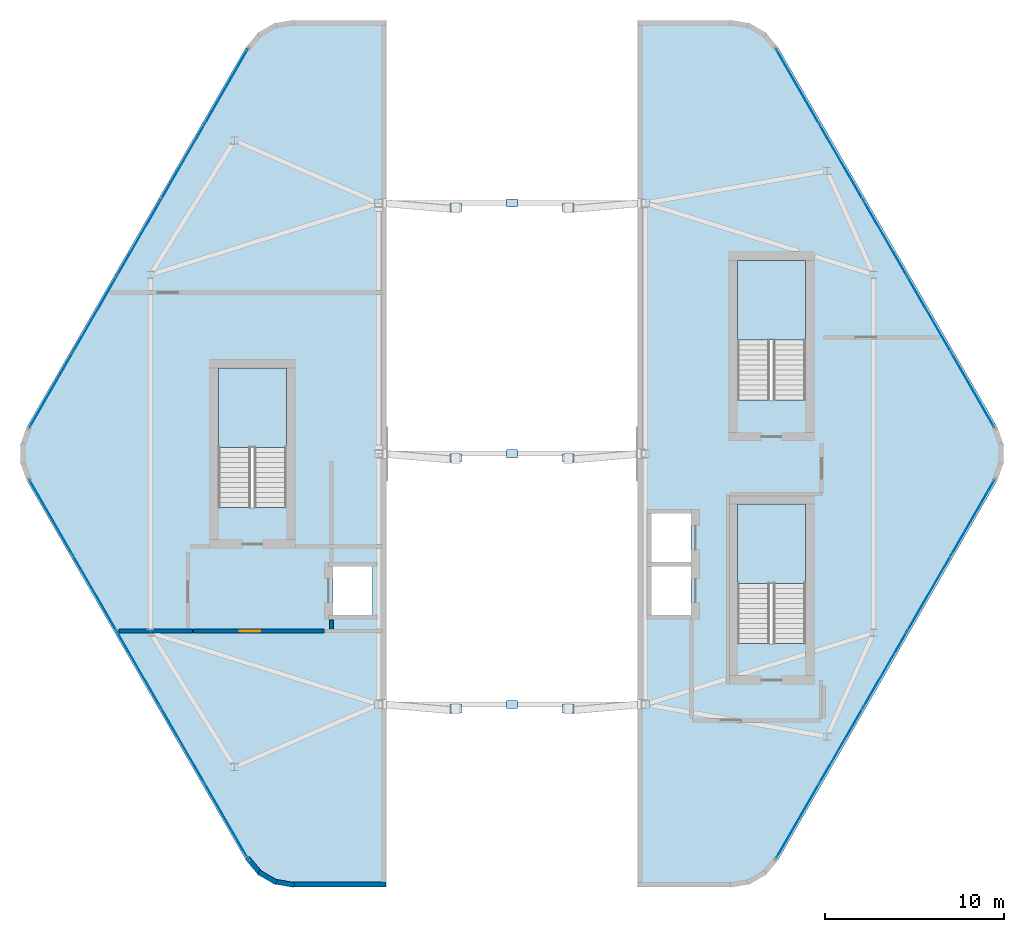
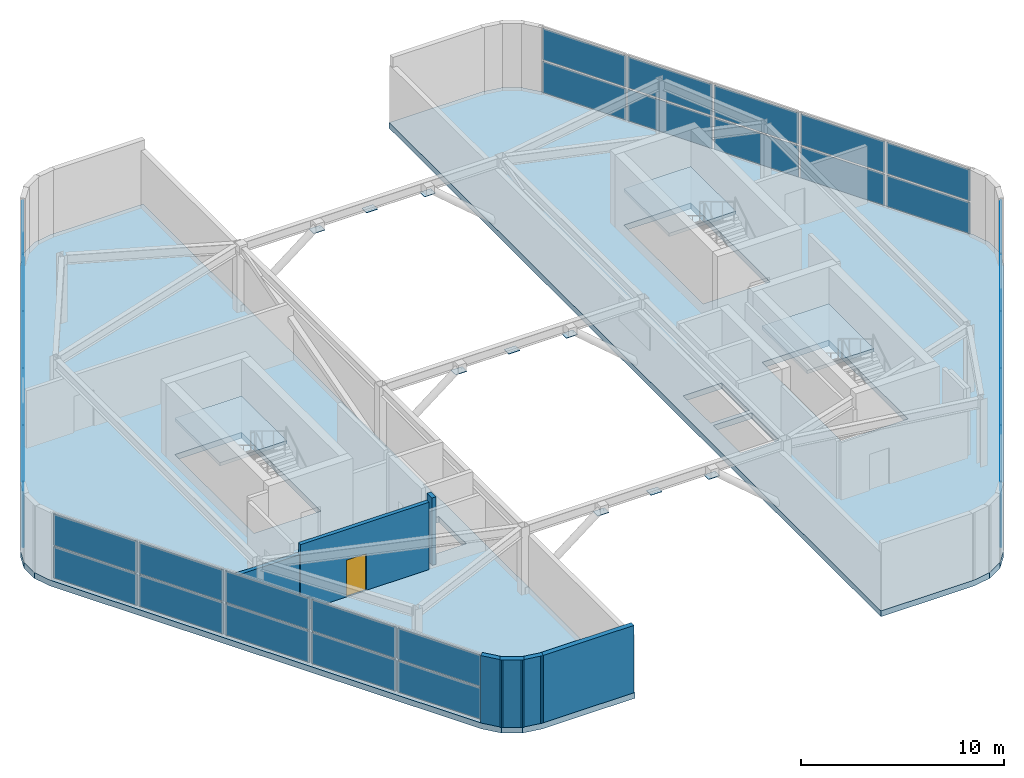
# One storey, part 13 of 16: 49 plates, 7 walls, 5 slabs, 1 door, 1 opening, 7 elements without a shape of their own.
"""IFC4 building model written with IfcOpenShell, lengths in metres."""

from ifc_helpers import new_model, si_unit, direction, frame, frame_2d, origin, origin_2d, place, context, subcontext, project, spatial, polyline, rectangle, outline, extrude, material, layer, layer_set, type_object, element, fill, aggregate, save


model = new_model("IFC4")

# Units and contexts
model_context = context("Model", 3, precision=1e-05, world=origin(), true_north=direction((0.0, 1.0)))
body_context = subcontext(model_context, "Body", "Model", "MODEL_VIEW")
ifc_project = project(units=[si_unit("LENGTHUNIT", "METRE"), si_unit("AREAUNIT", "SQUARE_METRE"), si_unit("VOLUMEUNIT", "CUBIC_METRE"), si_unit("PLANEANGLEUNIT", "RADIAN"), si_unit("MASSUNIT", "GRAM", prefix="KILO")], contexts=[model_context])

# Site, building, storey
site_placement = place(None, origin())
site = spatial("IfcSite", under=ifc_project, at=site_placement, CompositionType="ELEMENT")
building_placement = place(site_placement, origin())
building = spatial("IfcBuilding", under=site, at=building_placement, Name="Zuhravey Tower", CompositionType="ELEMENT")
storey_placement = place(building_placement, frame((0.0, 0.0, 370.199951171875)))
storey = spatial("IfcBuildingStorey", under=building, at=storey_placement, Name="L94", CompositionType="ELEMENT", Elevation=370.199951171875)

# Curtain wall, plates
ifc_material_1 = material(Name="Thermally broken anodised aluminium", Category="aluminium")
curtain_wall_type = type_object("IfcCurtainWallType", Name="Split-Top Crown Screened Curtain Wall CW6", PredefinedType="NOTDEFINED", material=ifc_material_1)
curtain_wall_1_placement = place(storey_placement, origin())
curtain_wall_1 = element("IfcCurtainWall", 1, at=curtain_wall_1_placement, inside=storey, type_object=curtain_wall_type, Name="L94 CW6 CW6-L94-WEST-04", PredefinedType="NOTDEFINED")
ifc_material_2 = material(Name="Bronze-anodised perforated girih aluminium", Category="aluminium")
ifc_layer_1 = layer(ifc_material_2, 0.035888671875)
ifc_layer_set_1 = layer_set([ifc_layer_1], Name="Bronze-anodised perforated girih aluminium")
plate_type_1 = type_object("IfcPlateType", Name="Girih Perforated Crown Panel", PredefinedType="CURTAIN_PANEL", material=ifc_layer_set_1)
plate_1_placement = place(storey_placement, frame((20.04443359375, 11.487548828125, 0.10009765625), z_axis=(0.0, 0.0, 1.0), x_axis=(-0.499997124838, 0.866027063754, 0.0)))
plate_1 = element("IfcPlate", 2, at=plate_1_placement, type_object=plate_type_1, Name="CW6 panel 1.1", PredefinedType="CURTAIN_PANEL", context=body_context, shape_type="SweptSolid", body=[
    extrude(rectangle(XDim=4.755859375, YDim=0.035888671875, at=origin_2d()), origin(), (0.0, 0.0, 1.0), 1.875),
])
plate_2_placement = place(storey_placement, frame((20.04443359375, 11.487548828125, 2.074951171875), z_axis=(0.0, 0.0, 1.0), x_axis=(-0.499997124838, 0.866027063754, 0.0)))
plate_2 = element("IfcPlate", 3, at=plate_2_placement, type_object=plate_type_1, Name="CW6 panel 1.2", PredefinedType="CURTAIN_PANEL", context=body_context, shape_type="SweptSolid", body=[
    extrude(rectangle(XDim=4.755859375, YDim=0.035888671875, at=origin_2d()), origin(), (0.0, 0.0, 1.0), 1.875),
])
plate_3_placement = place(storey_placement, frame((17.604248046875, 15.71435546875, 0.10009765625), z_axis=(0.0, 0.0, 1.0), x_axis=(-0.499997124838, 0.866027063754, 0.0)))
plate_3 = element("IfcPlate", 4, at=plate_3_placement, type_object=plate_type_1, Name="CW6 panel 2.1", PredefinedType="CURTAIN_PANEL", context=body_context, shape_type="SweptSolid", body=[
    extrude(rectangle(XDim=4.805908203125, YDim=0.035888671875, at=origin_2d()), origin(), (0.0, 0.0, 1.0), 1.875),
])
plate_4_placement = place(storey_placement, frame((17.604248046875, 15.71435546875, 2.074951171875), z_axis=(0.0, 0.0, 1.0), x_axis=(-0.499997124838, 0.866027063754, 0.0)))
plate_4 = element("IfcPlate", 5, at=plate_4_placement, type_object=plate_type_1, Name="CW6 panel 2.2", PredefinedType="CURTAIN_PANEL", context=body_context, shape_type="SweptSolid", body=[
    extrude(rectangle(XDim=4.805908203125, YDim=0.035888671875, at=origin_2d()), origin(), (0.0, 0.0, 1.0), 1.875),
])
plate_5_placement = place(storey_placement, frame((15.1513671875, 19.962890625, 0.10009765625), z_axis=(0.0, 0.0, 1.0), x_axis=(-0.499997124838, 0.866027063754, 0.0)))
plate_5 = element("IfcPlate", 6, at=plate_5_placement, type_object=plate_type_1, Name="CW6 panel 3.1", PredefinedType="CURTAIN_PANEL", context=body_context, shape_type="SweptSolid", body=[
    extrude(rectangle(XDim=4.805908203125, YDim=0.035888671875, at=origin_2d()), origin(), (0.0, 0.0, 1.0), 1.875),
])
plate_6_placement = place(storey_placement, frame((15.1513671875, 19.962890625, 2.074951171875), z_axis=(0.0, 0.0, 1.0), x_axis=(-0.499997124838, 0.866027063754, 0.0)))
plate_6 = element("IfcPlate", 7, at=plate_6_placement, type_object=plate_type_1, Name="CW6 panel 3.2", PredefinedType="CURTAIN_PANEL", context=body_context, shape_type="SweptSolid", body=[
    extrude(rectangle(XDim=4.805908203125, YDim=0.035888671875, at=origin_2d()), origin(), (0.0, 0.0, 1.0), 1.875),
])
plate_7_placement = place(storey_placement, frame((12.6982421875, 24.21142578125, 0.10009765625), z_axis=(0.0, 0.0, 1.0), x_axis=(-0.499997124838, 0.866027063754, 0.0)))
plate_7 = element("IfcPlate", 8, at=plate_7_placement, type_object=plate_type_1, Name="CW6 panel 4.1", PredefinedType="CURTAIN_PANEL", context=body_context, shape_type="SweptSolid", body=[
    extrude(rectangle(XDim=4.805908203125, YDim=0.035888671875, at=origin_2d()), origin(), (0.0, 0.0, 1.0), 1.875),
])
plate_8_placement = place(storey_placement, frame((12.6982421875, 24.21142578125, 2.074951171875), z_axis=(0.0, 0.0, 1.0), x_axis=(-0.499997124838, 0.866027063754, 0.0)))
plate_8 = element("IfcPlate", 9, at=plate_8_placement, type_object=plate_type_1, Name="CW6 panel 4.2", PredefinedType="CURTAIN_PANEL", context=body_context, shape_type="SweptSolid", body=[
    extrude(rectangle(XDim=4.805908203125, YDim=0.035888671875, at=origin_2d()), origin(), (0.0, 0.0, 1.0), 1.875),
])
plate_9_placement = place(storey_placement, frame((10.258056640625, 28.4384765625, 0.10009765625), z_axis=(0.0, 0.0, 1.0), x_axis=(-0.499997124838, 0.866027063754, 0.0)))
plate_9 = element("IfcPlate", 10, at=plate_9_placement, type_object=plate_type_1, Name="CW6 panel 5.1", PredefinedType="CURTAIN_PANEL", context=body_context, shape_type="SweptSolid", body=[
    extrude(rectangle(XDim=4.755859375, YDim=0.035888671875, at=origin_2d()), origin(), (0.0, 0.0, 1.0), 1.875),
])
plate_10_placement = place(storey_placement, frame((10.258056640625, 28.4384765625, 2.074951171875), z_axis=(0.0, 0.0, 1.0), x_axis=(-0.499997124838, 0.866027063754, 0.0)))
plate_10 = element("IfcPlate", 11, at=plate_10_placement, type_object=plate_type_1, Name="CW6 panel 5.2", PredefinedType="CURTAIN_PANEL", context=body_context, shape_type="SweptSolid", body=[
    extrude(rectangle(XDim=4.755859375, YDim=0.035888671875, at=origin_2d()), origin(), (0.0, 0.0, 1.0), 1.875),
])
aggregate(curtain_wall_1, [plate_1, plate_2, plate_3, plate_4, plate_5, plate_6, plate_7, plate_8, plate_9, plate_10])

curtain_wall_2_placement = place(storey_placement, origin())
curtain_wall_2 = element("IfcCurtainWall", 12, at=curtain_wall_2_placement, inside=storey, type_object=curtain_wall_type, Name="L94 CW6 CW6-L94-WEST-08", PredefinedType="NOTDEFINED")
plate_11_placement = place(storey_placement, frame((10.258056640625, 35.5615234375, 0.10009765625), z_axis=(0.0, 0.0, 1.0), x_axis=(0.499997124838, 0.866027063754, 0.0)))
plate_11 = element("IfcPlate", 13, at=plate_11_placement, type_object=plate_type_1, Name="CW6 panel 1.1", PredefinedType="CURTAIN_PANEL", context=body_context, shape_type="SweptSolid", body=[
    extrude(rectangle(XDim=4.755859375, YDim=0.035888671875, at=origin_2d()), origin(), (0.0, 0.0, 1.0), 1.875),
])
plate_12_placement = place(storey_placement, frame((10.258056640625, 35.5615234375, 2.074951171875), z_axis=(0.0, 0.0, 1.0), x_axis=(0.499997124838, 0.866027063754, 0.0)))
plate_12 = element("IfcPlate", 14, at=plate_12_placement, type_object=plate_type_1, Name="CW6 panel 1.2", PredefinedType="CURTAIN_PANEL", context=body_context, shape_type="SweptSolid", body=[
    extrude(rectangle(XDim=4.755859375, YDim=0.035888671875, at=origin_2d()), origin(), (0.0, 0.0, 1.0), 1.875),
])
plate_13_placement = place(storey_placement, frame((12.6982421875, 39.78857421875, 0.10009765625), z_axis=(0.0, 0.0, 1.0), x_axis=(0.499997124838, 0.866027063754, 0.0)))
plate_13 = element("IfcPlate", 15, at=plate_13_placement, type_object=plate_type_1, Name="CW6 panel 2.1", PredefinedType="CURTAIN_PANEL", context=body_context, shape_type="SweptSolid", body=[
    extrude(rectangle(XDim=4.805908203125, YDim=0.035888671875, at=origin_2d()), origin(), (0.0, 0.0, 1.0), 1.875),
])
plate_14_placement = place(storey_placement, frame((12.6982421875, 39.78857421875, 2.074951171875), z_axis=(0.0, 0.0, 1.0), x_axis=(0.499997124838, 0.866027063754, 0.0)))
plate_14 = element("IfcPlate", 16, at=plate_14_placement, type_object=plate_type_1, Name="CW6 panel 2.2", PredefinedType="CURTAIN_PANEL", context=body_context, shape_type="SweptSolid", body=[
    extrude(rectangle(XDim=4.805908203125, YDim=0.035888671875, at=origin_2d()), origin(), (0.0, 0.0, 1.0), 1.875),
])
plate_15_placement = place(storey_placement, frame((15.1513671875, 44.037109375, 0.10009765625), z_axis=(0.0, 0.0, 1.0), x_axis=(0.499997124838, 0.866027063754, 0.0)))
plate_15 = element("IfcPlate", 17, at=plate_15_placement, type_object=plate_type_1, Name="CW6 panel 3.1", PredefinedType="CURTAIN_PANEL", context=body_context, shape_type="SweptSolid", body=[
    extrude(rectangle(XDim=4.805908203125, YDim=0.035888671875, at=origin_2d()), origin(), (0.0, 0.0, 1.0), 1.875),
])
plate_16_placement = place(storey_placement, frame((15.1513671875, 44.037109375, 2.074951171875), z_axis=(0.0, 0.0, 1.0), x_axis=(0.499997124838, 0.866027063754, 0.0)))
plate_16 = element("IfcPlate", 18, at=plate_16_placement, type_object=plate_type_1, Name="CW6 panel 3.2", PredefinedType="CURTAIN_PANEL", context=body_context, shape_type="SweptSolid", body=[
    extrude(rectangle(XDim=4.805908203125, YDim=0.035888671875, at=origin_2d()), origin(), (0.0, 0.0, 1.0), 1.875),
])
plate_17_placement = place(storey_placement, frame((17.604248046875, 48.28564453125, 0.10009765625), z_axis=(0.0, 0.0, 1.0), x_axis=(0.499997124838, 0.866027063754, 0.0)))
plate_17 = element("IfcPlate", 19, at=plate_17_placement, type_object=plate_type_1, Name="CW6 panel 4.1", PredefinedType="CURTAIN_PANEL", context=body_context, shape_type="SweptSolid", body=[
    extrude(rectangle(XDim=4.805908203125, YDim=0.035888671875, at=origin_2d()), origin(), (0.0, 0.0, 1.0), 1.875),
])
plate_18_placement = place(storey_placement, frame((17.604248046875, 48.28564453125, 2.074951171875), z_axis=(0.0, 0.0, 1.0), x_axis=(0.499997124838, 0.866027063754, 0.0)))
plate_18 = element("IfcPlate", 20, at=plate_18_placement, type_object=plate_type_1, Name="CW6 panel 4.2", PredefinedType="CURTAIN_PANEL", context=body_context, shape_type="SweptSolid", body=[
    extrude(rectangle(XDim=4.805908203125, YDim=0.035888671875, at=origin_2d()), origin(), (0.0, 0.0, 1.0), 1.875),
])
plate_19_placement = place(storey_placement, frame((20.04443359375, 52.512451171875, 0.10009765625), z_axis=(0.0, 0.0, 1.0), x_axis=(0.499997124838, 0.866027063754, 0.0)))
plate_19 = element("IfcPlate", 21, at=plate_19_placement, type_object=plate_type_1, Name="CW6 panel 5.1", PredefinedType="CURTAIN_PANEL", context=body_context, shape_type="SweptSolid", body=[
    extrude(rectangle(XDim=4.755859375, YDim=0.035888671875, at=origin_2d()), origin(), (0.0, 0.0, 1.0), 1.875),
])
plate_20_placement = place(storey_placement, frame((20.04443359375, 52.512451171875, 2.074951171875), z_axis=(0.0, 0.0, 1.0), x_axis=(0.499997124838, 0.866027063754, 0.0)))
plate_20 = element("IfcPlate", 22, at=plate_20_placement, type_object=plate_type_1, Name="CW6 panel 5.2", PredefinedType="CURTAIN_PANEL", context=body_context, shape_type="SweptSolid", body=[
    extrude(rectangle(XDim=4.755859375, YDim=0.035888671875, at=origin_2d()), origin(), (0.0, 0.0, 1.0), 1.875),
])
aggregate(curtain_wall_2, [plate_11, plate_12, plate_13, plate_14, plate_15, plate_16, plate_17, plate_18, plate_19, plate_20])

curtain_wall_3_placement = place(storey_placement, origin())
curtain_wall_3 = element("IfcCurtainWall", 23, at=curtain_wall_3_placement, inside=storey, type_object=curtain_wall_type, Name="L94 CW6 CW6-L94-EAST-04", PredefinedType="NOTDEFINED")
plate_21_placement = place(storey_placement, frame((51.95556640625, 52.512451171875, 0.10009765625), z_axis=(0.0, 0.0, 1.0), x_axis=(0.499997124838, -0.866027063754, 0.0)))
plate_21 = element("IfcPlate", 24, at=plate_21_placement, type_object=plate_type_1, Name="CW6 panel 1.1", PredefinedType="CURTAIN_PANEL", context=body_context, shape_type="SweptSolid", body=[
    extrude(rectangle(XDim=4.755859375, YDim=0.035888671875, at=origin_2d()), origin(), (0.0, 0.0, 1.0), 1.875),
])
plate_22_placement = place(storey_placement, frame((51.95556640625, 52.512451171875, 2.074951171875), z_axis=(0.0, 0.0, 1.0), x_axis=(0.499997124838, -0.866027063754, 0.0)))
plate_22 = element("IfcPlate", 25, at=plate_22_placement, type_object=plate_type_1, Name="CW6 panel 1.2", PredefinedType="CURTAIN_PANEL", context=body_context, shape_type="SweptSolid", body=[
    extrude(rectangle(XDim=4.755859375, YDim=0.035888671875, at=origin_2d()), origin(), (0.0, 0.0, 1.0), 1.875),
])
plate_23_placement = place(storey_placement, frame((54.395751953125, 48.28564453125, 0.10009765625), z_axis=(0.0, 0.0, 1.0), x_axis=(0.499997124838, -0.866027063754, 0.0)))
plate_23 = element("IfcPlate", 26, at=plate_23_placement, type_object=plate_type_1, Name="CW6 panel 2.1", PredefinedType="CURTAIN_PANEL", context=body_context, shape_type="SweptSolid", body=[
    extrude(rectangle(XDim=4.805908203125, YDim=0.035888671875, at=origin_2d()), origin(), (0.0, 0.0, 1.0), 1.875),
])
plate_24_placement = place(storey_placement, frame((54.395751953125, 48.28564453125, 2.074951171875), z_axis=(0.0, 0.0, 1.0), x_axis=(0.499997124838, -0.866027063754, 0.0)))
plate_24 = element("IfcPlate", 27, at=plate_24_placement, type_object=plate_type_1, Name="CW6 panel 2.2", PredefinedType="CURTAIN_PANEL", context=body_context, shape_type="SweptSolid", body=[
    extrude(rectangle(XDim=4.805908203125, YDim=0.035888671875, at=origin_2d()), origin(), (0.0, 0.0, 1.0), 1.875),
])
plate_25_placement = place(storey_placement, frame((56.8486328125, 44.037109375, 0.10009765625), z_axis=(0.0, 0.0, 1.0), x_axis=(0.499997124838, -0.866027063754, 0.0)))
plate_25 = element("IfcPlate", 28, at=plate_25_placement, type_object=plate_type_1, Name="CW6 panel 3.1", PredefinedType="CURTAIN_PANEL", context=body_context, shape_type="SweptSolid", body=[
    extrude(rectangle(XDim=4.805908203125, YDim=0.035888671875, at=origin_2d()), origin(), (0.0, 0.0, 1.0), 1.875),
])
plate_26_placement = place(storey_placement, frame((56.8486328125, 44.037109375, 2.074951171875), z_axis=(0.0, 0.0, 1.0), x_axis=(0.499997124838, -0.866027063754, 0.0)))
plate_26 = element("IfcPlate", 29, at=plate_26_placement, type_object=plate_type_1, Name="CW6 panel 3.2", PredefinedType="CURTAIN_PANEL", context=body_context, shape_type="SweptSolid", body=[
    extrude(rectangle(XDim=4.805908203125, YDim=0.035888671875, at=origin_2d()), origin(), (0.0, 0.0, 1.0), 1.875),
])
plate_27_placement = place(storey_placement, frame((59.3017578125, 39.78857421875, 0.10009765625), z_axis=(0.0, 0.0, 1.0), x_axis=(0.499997124838, -0.866027063754, 0.0)))
plate_27 = element("IfcPlate", 30, at=plate_27_placement, type_object=plate_type_1, Name="CW6 panel 4.1", PredefinedType="CURTAIN_PANEL", context=body_context, shape_type="SweptSolid", body=[
    extrude(rectangle(XDim=4.805908203125, YDim=0.035888671875, at=origin_2d()), origin(), (0.0, 0.0, 1.0), 1.875),
])
plate_28_placement = place(storey_placement, frame((59.3017578125, 39.78857421875, 2.074951171875), z_axis=(0.0, 0.0, 1.0), x_axis=(0.499997124838, -0.866027063754, 0.0)))
plate_28 = element("IfcPlate", 31, at=plate_28_placement, type_object=plate_type_1, Name="CW6 panel 4.2", PredefinedType="CURTAIN_PANEL", context=body_context, shape_type="SweptSolid", body=[
    extrude(rectangle(XDim=4.805908203125, YDim=0.035888671875, at=origin_2d()), origin(), (0.0, 0.0, 1.0), 1.875),
])
plate_29_placement = place(storey_placement, frame((61.741943359375, 35.5615234375, 0.10009765625), z_axis=(0.0, 0.0, 1.0), x_axis=(0.499997124838, -0.866027063754, 0.0)))
plate_29 = element("IfcPlate", 32, at=plate_29_placement, type_object=plate_type_1, Name="CW6 panel 5.1", PredefinedType="CURTAIN_PANEL", context=body_context, shape_type="SweptSolid", body=[
    extrude(rectangle(XDim=4.755859375, YDim=0.035888671875, at=origin_2d()), origin(), (0.0, 0.0, 1.0), 1.875),
])
plate_30_placement = place(storey_placement, frame((61.741943359375, 35.5615234375, 2.074951171875), z_axis=(0.0, 0.0, 1.0), x_axis=(0.499997124838, -0.866027063754, 0.0)))
plate_30 = element("IfcPlate", 33, at=plate_30_placement, type_object=plate_type_1, Name="CW6 panel 5.2", PredefinedType="CURTAIN_PANEL", context=body_context, shape_type="SweptSolid", body=[
    extrude(rectangle(XDim=4.755859375, YDim=0.035888671875, at=origin_2d()), origin(), (0.0, 0.0, 1.0), 1.875),
])
aggregate(curtain_wall_3, [plate_21, plate_22, plate_23, plate_24, plate_25, plate_26, plate_27, plate_28, plate_29, plate_30])

curtain_wall_4_placement = place(storey_placement, origin())
curtain_wall_4 = element("IfcCurtainWall", 34, at=curtain_wall_4_placement, inside=storey, type_object=curtain_wall_type, Name="L94 CW6 CW6-L94-EAST-08", PredefinedType="NOTDEFINED")
plate_31_placement = place(storey_placement, frame((61.741943359375, 28.4384765625, 0.10009765625), z_axis=(0.0, 0.0, 1.0), x_axis=(-0.499997124838, -0.866027063754, 0.0)))
plate_31 = element("IfcPlate", 35, at=plate_31_placement, type_object=plate_type_1, Name="CW6 panel 1.1", PredefinedType="CURTAIN_PANEL", context=body_context, shape_type="SweptSolid", body=[
    extrude(rectangle(XDim=4.755859375, YDim=0.035888671875, at=origin_2d()), origin(), (0.0, 0.0, 1.0), 1.875),
])
plate_32_placement = place(storey_placement, frame((61.741943359375, 28.4384765625, 2.074951171875), z_axis=(0.0, 0.0, 1.0), x_axis=(-0.499997124838, -0.866027063754, 0.0)))
plate_32 = element("IfcPlate", 36, at=plate_32_placement, type_object=plate_type_1, Name="CW6 panel 1.2", PredefinedType="CURTAIN_PANEL", context=body_context, shape_type="SweptSolid", body=[
    extrude(rectangle(XDim=4.755859375, YDim=0.035888671875, at=origin_2d()), origin(), (0.0, 0.0, 1.0), 1.875),
])
plate_33_placement = place(storey_placement, frame((59.3017578125, 24.21142578125, 0.10009765625), z_axis=(0.0, 0.0, 1.0), x_axis=(-0.499997124838, -0.866027063754, 0.0)))
plate_33 = element("IfcPlate", 37, at=plate_33_placement, type_object=plate_type_1, Name="CW6 panel 2.1", PredefinedType="CURTAIN_PANEL", context=body_context, shape_type="SweptSolid", body=[
    extrude(rectangle(XDim=4.805908203125, YDim=0.035888671875, at=origin_2d()), origin(), (0.0, 0.0, 1.0), 1.875),
])
plate_34_placement = place(storey_placement, frame((59.3017578125, 24.21142578125, 2.074951171875), z_axis=(0.0, 0.0, 1.0), x_axis=(-0.499997124838, -0.866027063754, 0.0)))
plate_34 = element("IfcPlate", 38, at=plate_34_placement, type_object=plate_type_1, Name="CW6 panel 2.2", PredefinedType="CURTAIN_PANEL", context=body_context, shape_type="SweptSolid", body=[
    extrude(rectangle(XDim=4.805908203125, YDim=0.035888671875, at=origin_2d()), origin(), (0.0, 0.0, 1.0), 1.875),
])
plate_35_placement = place(storey_placement, frame((56.8486328125, 19.962890625, 0.10009765625), z_axis=(0.0, 0.0, 1.0), x_axis=(-0.499997124838, -0.866027063754, 0.0)))
plate_35 = element("IfcPlate", 39, at=plate_35_placement, type_object=plate_type_1, Name="CW6 panel 3.1", PredefinedType="CURTAIN_PANEL", context=body_context, shape_type="SweptSolid", body=[
    extrude(rectangle(XDim=4.805908203125, YDim=0.035888671875, at=origin_2d()), origin(), (0.0, 0.0, 1.0), 1.875),
])
plate_36_placement = place(storey_placement, frame((56.8486328125, 19.962890625, 2.074951171875), z_axis=(0.0, 0.0, 1.0), x_axis=(-0.499997124838, -0.866027063754, 0.0)))
plate_36 = element("IfcPlate", 40, at=plate_36_placement, type_object=plate_type_1, Name="CW6 panel 3.2", PredefinedType="CURTAIN_PANEL", context=body_context, shape_type="SweptSolid", body=[
    extrude(rectangle(XDim=4.805908203125, YDim=0.035888671875, at=origin_2d()), origin(), (0.0, 0.0, 1.0), 1.875),
])
plate_37_placement = place(storey_placement, frame((54.395751953125, 15.71435546875, 0.10009765625), z_axis=(0.0, 0.0, 1.0), x_axis=(-0.499997124838, -0.866027063754, 0.0)))
plate_37 = element("IfcPlate", 41, at=plate_37_placement, type_object=plate_type_1, Name="CW6 panel 4.1", PredefinedType="CURTAIN_PANEL", context=body_context, shape_type="SweptSolid", body=[
    extrude(rectangle(XDim=4.805908203125, YDim=0.035888671875, at=origin_2d()), origin(), (0.0, 0.0, 1.0), 1.875),
])
plate_38_placement = place(storey_placement, frame((54.395751953125, 15.71435546875, 2.074951171875), z_axis=(0.0, 0.0, 1.0), x_axis=(-0.499997124838, -0.866027063754, 0.0)))
plate_38 = element("IfcPlate", 42, at=plate_38_placement, type_object=plate_type_1, Name="CW6 panel 4.2", PredefinedType="CURTAIN_PANEL", context=body_context, shape_type="SweptSolid", body=[
    extrude(rectangle(XDim=4.805908203125, YDim=0.035888671875, at=origin_2d()), origin(), (0.0, 0.0, 1.0), 1.875),
])
plate_39_placement = place(storey_placement, frame((51.95556640625, 11.487548828125, 0.10009765625), z_axis=(0.0, 0.0, 1.0), x_axis=(-0.499997124838, -0.866027063754, 0.0)))
plate_39 = element("IfcPlate", 43, at=plate_39_placement, type_object=plate_type_1, Name="CW6 panel 5.1", PredefinedType="CURTAIN_PANEL", context=body_context, shape_type="SweptSolid", body=[
    extrude(rectangle(XDim=4.755859375, YDim=0.035888671875, at=origin_2d()), origin(), (0.0, 0.0, 1.0), 1.875),
])
plate_40_placement = place(storey_placement, frame((51.95556640625, 11.487548828125, 2.074951171875), z_axis=(0.0, 0.0, 1.0), x_axis=(-0.499997124838, -0.866027063754, 0.0)))
plate_40 = element("IfcPlate", 44, at=plate_40_placement, type_object=plate_type_1, Name="CW6 panel 5.2", PredefinedType="CURTAIN_PANEL", context=body_context, shape_type="SweptSolid", body=[
    extrude(rectangle(XDim=4.755859375, YDim=0.035888671875, at=origin_2d()), origin(), (0.0, 0.0, 1.0), 1.875),
])
aggregate(curtain_wall_4, [plate_31, plate_32, plate_33, plate_34, plate_35, plate_36, plate_37, plate_38, plate_39, plate_40])

# Slabs
ifc_material_3 = material(Name="Concrete C50/60", Category="concrete")
ifc_layer_2 = layer(ifc_material_3, 0.35009765625)
ifc_layer_set_2 = layer_set([ifc_layer_2], Name="Concrete C50/60")
slab_type_1 = type_object("IfcSlabType", Name="Refuge & Plant Heavy Slab 350", PredefinedType="FLOOR", material=ifc_layer_set_2)
slab_1_placement = place(storey_placement, frame((0.0, 0.0, -0.349853515625)))
element("IfcSlab", 45, at=slab_1_placement, inside=storey, type_object=slab_type_1, Name="L94 West Crest Floor Slab PS35", PredefinedType="FLOOR", context=body_context, shape_type="SweptSolid", body=[
    extrude(outline(polyline([(23.72314453125, 7.785888671875), (22.714111328125, 7.9638671875), (21.826904296875, 8.47607421875), (21.16845703125, 9.260986328125), (8.8916015625, 30.52490234375), (8.541259765625, 31.48779296875), (8.541259765625, 32.51220703125), (8.8916015625, 33.47509765625), (21.16845703125, 54.739013671875), (21.826904296875, 55.52392578125), (22.714111328125, 56.0361328125), (23.72314453125, 56.214111328125), (29.0, 56.214111328125), (29.0, 7.785888671875), (23.72314453125, 7.785888671875)]), holes=[polyline([(23.39990234375, 29.000732421875), (23.39990234375, 36.800048828125), (19.60009765625, 36.800048828125), (19.60009765625, 29.000732421875), (23.39990234375, 29.000732421875)]), polyline([(26.0, 23.0), (28.199951171875, 23.0), (28.199951171875, 25.699951171875), (26.0, 25.699951171875), (26.0, 23.0)])]), origin(), (0.0, 0.0, 1.0), 0.349853515625),
])
slab_2_placement = place(storey_placement, frame((0.0, 0.0, -0.349853515625)))
element("IfcSlab", 46, at=slab_2_placement, inside=storey, type_object=slab_type_1, Name="L94 East Crest Floor Slab PS35", PredefinedType="FLOOR", context=body_context, shape_type="SweptSolid", body=[
    extrude(outline(polyline([(48.27685546875, 56.214111328125), (49.285888671875, 56.0361328125), (50.173095703125, 55.52392578125), (50.83154296875, 54.739013671875), (63.1083984375, 33.47509765625), (63.458740234375, 32.51220703125), (63.458740234375, 31.48779296875), (63.1083984375, 30.52490234375), (50.83154296875, 9.260986328125), (50.173095703125, 8.47607421875), (49.285888671875, 7.9638671875), (48.27685546875, 7.785888671875), (43.0, 7.785888671875), (43.0, 56.214111328125), (48.27685546875, 56.214111328125)]), holes=[polyline([(52.39990234375, 21.400634765625), (52.39990234375, 29.199951171875), (48.60009765625, 29.199951171875), (48.60009765625, 21.400634765625), (52.39990234375, 21.400634765625)]), polyline([(52.39990234375, 35.000732421875), (52.39990234375, 42.800048828125), (48.60009765625, 42.800048828125), (48.60009765625, 35.000732421875), (52.39990234375, 35.000732421875)]), polyline([(43.800048828125, 23.0), (46.0, 23.0), (46.0, 25.699951171875), (43.800048828125, 25.699951171875), (43.800048828125, 23.0)]), polyline([(43.800048828125, 25.949951171875), (46.0, 25.949951171875), (46.0, 28.64990234375), (43.800048828125, 28.64990234375), (43.800048828125, 25.949951171875)])]), origin(), (0.0, 0.0, 1.0), 0.349853515625),
])

# Stair, slab
ifc_material_4 = material(Name="Concrete C40/50", Category="concrete")
stair_type = type_object("IfcStairType", Name="Crown Storey Stair Assembly 4400", PredefinedType="HALF_TURN_STAIR", material=ifc_material_4)
stair_1_placement = place(storey_placement, origin())
stair_1 = element("IfcStair", 47, at=stair_1_placement, inside=storey, type_object=stair_type, Name="L94 West Crest Stair CST1", PredefinedType="HALF_TURN_STAIR")
ifc_layer_3 = layer(ifc_material_4, 0.199951171875)
ifc_layer_set_3 = layer_set([ifc_layer_3], Name="Concrete C40/50")
slab_type_2 = type_object("IfcSlabType", Name="Stair Landing Slab 200", PredefinedType="LANDING", material=ifc_layer_set_3)
slab_3_placement = place(storey_placement, frame((0.0, 0.0, 2.0)))
slab_3 = element("IfcSlab", 48, at=slab_3_placement, type_object=slab_type_2, Name="CST1 landing 1", PredefinedType="LANDING", context=body_context, shape_type="SweptSolid", body=[
    extrude(outline(polyline([(23.39990234375, 32.360107421875), (23.39990234375, 36.800048828125), (19.60009765625, 36.800048828125), (19.60009765625, 32.360107421875), (23.39990234375, 32.360107421875)])), origin(), (0.0, 0.0, 1.0), 0.199951171875),
])
aggregate(stair_1, [slab_3])

stair_2_placement = place(storey_placement, origin())
stair_2 = element("IfcStair", 49, at=stair_2_placement, inside=storey, type_object=stair_type, Name="L94 East Crest South Stair CST2", PredefinedType="HALF_TURN_STAIR")
slab_4_placement = place(storey_placement, frame((0.0, 0.0, 2.0)))
slab_4 = element("IfcSlab", 50, at=slab_4_placement, type_object=slab_type_2, Name="CST2 landing 1", PredefinedType="LANDING", context=body_context, shape_type="SweptSolid", body=[
    extrude(outline(polyline([(52.39990234375, 24.760009765625), (52.39990234375, 29.199951171875), (48.60009765625, 29.199951171875), (48.60009765625, 24.760009765625), (52.39990234375, 24.760009765625)])), origin(), (0.0, 0.0, 1.0), 0.199951171875),
])
aggregate(stair_2, [slab_4])

stair_3_placement = place(storey_placement, origin())
stair_3 = element("IfcStair", 51, at=stair_3_placement, inside=storey, type_object=stair_type, Name="L94 East Crest North Stair CST3", PredefinedType="HALF_TURN_STAIR")
slab_5_placement = place(storey_placement, frame((0.0, 0.0, 2.0)))
slab_5 = element("IfcSlab", 52, at=slab_5_placement, type_object=slab_type_2, Name="CST3 landing 1", PredefinedType="LANDING", context=body_context, shape_type="SweptSolid", body=[
    extrude(outline(polyline([(52.39990234375, 38.360107421875), (52.39990234375, 42.800048828125), (48.60009765625, 42.800048828125), (48.60009765625, 38.360107421875), (52.39990234375, 38.360107421875)])), origin(), (0.0, 0.0, 1.0), 0.199951171875),
])
aggregate(stair_3, [slab_5])

# Plates
ifc_material_5 = material(Name="Steel SM460", Category="steel")
ifc_layer_4 = layer(ifc_material_5, 0.028076171875)
ifc_layer_set_4 = layer_set([ifc_layer_4], Name="Steel SM460")
plate_type_2 = type_object("IfcPlateType", Name="Wind-Portal Saddle Node Plate ND8", PredefinedType="SHEET", material=ifc_layer_set_4)
for number, where, z_axis, x_axis, name in (
    (53, (36.0, 18.0, 3.4375), (0.0, 0.0, 1.0), (1.0, 0.0, 0.0), "L94 Wind-Portal Arch Apex Plate ND8-1"),
    (54, (32.85009765625, 17.760009765625, 3.4375), (0.0, 0.0, 1.0), (1.0, 0.0, 0.0), "L94 Wind-Portal Knee Node Plate ND8-1W"),
    (55, (39.14990234375, 17.760009765625, 3.4375), (0.0, 0.0, 1.0), (1.0, 0.0, 0.0), "L94 Wind-Portal Knee Node Plate ND8-1E"),
    (56, (36.0, 32.0, 3.4375), (0.0, 0.0, 1.0), (1.0, 0.0, 0.0), "L94 Wind-Portal Arch Apex Plate ND8-2"),
    (57, (32.85009765625, 31.760009765625, 3.4375), (0.0, 0.0, 1.0), (1.0, 0.0, 0.0), "L94 Wind-Portal Knee Node Plate ND8-2W"),
    (58, (39.14990234375, 31.760009765625, 3.4375), (0.0, 0.0, 1.0), (1.0, 0.0, 0.0), "L94 Wind-Portal Knee Node Plate ND8-2E"),
    (59, (36.0, 46.0, 3.4375), (0.0, 0.0, 1.0), (1.0, 0.0, 0.0), "L94 Wind-Portal Arch Apex Plate ND8-3"),
    (60, (32.85009765625, 45.760009765625, 3.4375), (0.0, 0.0, 1.0), (1.0, 0.0, 0.0), "L94 Wind-Portal Knee Node Plate ND8-3W"),
    (61, (39.14990234375, 45.760009765625, 3.4375), (0.0, 0.0, 1.0), (1.0, 0.0, 0.0), "L94 Wind-Portal Knee Node Plate ND8-3E"),
):
    element("IfcPlate", number, at=place(storey_placement, frame(where, z_axis=z_axis, x_axis=x_axis)), inside=storey, type_object=plate_type_2, Name=name, PredefinedType="SHEET", context=body_context, shape_type="SweptSolid", body=[
        extrude(rectangle(XDim=0.639892578125, YDim=0.4599609375, at=origin_2d()), origin(), (0.0, 0.0, 1.0), 0.028076171875),
    ])

# Walls
ifc_material_6 = material(Name="Precast concrete C40/50", Category="concrete")
ifc_layer_5 = layer(ifc_material_6, 0.280029296875)
ifc_layer_set_5 = layer_set([ifc_layer_5], Name="Precast concrete C40/50")
wall_type_1 = type_object("IfcWallType", Name="Crown Architectural Wall 280", PredefinedType="SOLIDWALL", material=ifc_layer_set_5)
wall_1_placement = place(storey_placement, frame((23.8291015625, 7.909423828125, 0.0), z_axis=(0.0, 0.0, 1.0), x_axis=(-0.984798162481, 0.173702559495, 0.0)))
element("IfcWall", 62, at=wall_1_placement, inside=storey, type_object=wall_type_1, Name="L94 WEST Crest Wall EW28-01", PredefinedType="SOLIDWALL", context=body_context, shape_type="SweptSolid", body=[
    extrude(rectangle(XDim=1.177734375, YDim=0.280029296875, at=frame_2d((0.5888671875, 0.0))), origin(), (0.0, 0.0, 1.0), 4.050048828125),
])
wall_2_placement = place(storey_placement, frame((22.84521484375, 8.0498046875, 0.0), z_axis=(0.0, 0.0, 1.0), x_axis=(-0.865951785477, 0.500127488975, 0.0)))
element("IfcWall", 63, at=wall_2_placement, inside=storey, type_object=wall_type_1, Name="L94 WEST Crest Wall EW28-02", PredefinedType="SOLIDWALL", context=body_context, shape_type="SweptSolid", body=[
    extrude(rectangle(XDim=1.165283203125, YDim=0.280029296875, at=frame_2d((0.58251953125, 0.0))), origin(), (0.0, 0.0, 1.0), 4.050048828125),
])
wall_3_placement = place(storey_placement, frame((21.9794921875, 8.51220703125, 0.0), z_axis=(0.0, 0.0, 1.0), x_axis=(-0.642851701012, 0.765990659542, 0.0)))
element("IfcWall", 64, at=wall_3_placement, inside=storey, type_object=wall_type_1, Name="L94 WEST Crest Wall EW28-03", PredefinedType="SOLIDWALL", context=body_context, shape_type="SweptSolid", body=[
    extrude(rectangle(XDim=1.177734375, YDim=0.280029296875, at=frame_2d((0.5888671875, 0.0))), origin(), (0.0, 0.0, 1.0), 4.050048828125),
])
wall_4_placement = place(storey_placement, frame((28.955078125, 7.92578125, 0.0), z_axis=(0.0, 0.0, 1.0), x_axis=(-1.0, 0.0, 0.0)))
element("IfcWall", 65, at=wall_4_placement, inside=storey, type_object=wall_type_1, Name="L94 WEST Crest Wall EW28-14", PredefinedType="SOLIDWALL", context=body_context, shape_type="SweptSolid", body=[
    extrude(rectangle(XDim=5.314697265625, YDim=0.280029296875, at=frame_2d((2.6572265625, 0.0))), origin(), (0.0, 0.0, 1.0), 4.050048828125),
])

# Wall, opening, door
ifc_material_7 = material(Name="Gypsum acoustic stud assembly")
ifc_layer_6 = layer(ifc_material_7, 0.219970703125)
ifc_layer_set_6 = layer_set([ifc_layer_6], Name="Gypsum acoustic stud assembly")
wall_type_2 = type_object("IfcWallType", Name="School Acoustic Compartment Wall 220", PredefinedType="PARTITIONING", material=ifc_layer_set_6)
wall_5_placement = place(storey_placement, frame((18.199951171875, 22.10009765625, 0.0), z_axis=(0.0, 0.0, 1.0), x_axis=(1.0, 0.0, 0.0)))
wall_5 = element("IfcWall", 66, at=wall_5_placement, inside=storey, type_object=wall_type_2, Name="L94 IW22 Partition 009", PredefinedType="PARTITIONING", context=body_context, shape_type="SweptSolid", body=[
    extrude(rectangle(XDim=7.300048828125, YDim=0.219970703125, at=frame_2d((3.64990234375, 0.0))), origin(), (0.0, 0.0, 1.0), 4.050048828125),
])
opening_placement = place(wall_5_placement, frame((2.60009765625, 0.0, 0.0)))
opening = element("IfcOpeningElement", 67, at=opening_placement, cuts=wall_5, Name="Opening CLD1", PredefinedType="OPENING", context=body_context, shape_type="SweptSolid", body=[
    extrude(rectangle(XDim=1.14990234375, YDim=2.199951171875, at=frame_2d((0.574951171875, 1.10009765625))), frame((0.0, 0.1220703125, 0.0), z_axis=(0.0, -1.0, 0.0), x_axis=(1.0, 0.0, 0.0)), (0.0, 0.0, 1.0), 0.243896484375),
])
ifc_material_8 = material(Name="Acoustic timber leaf with vision lite", Category="wood")
door_type = type_object("IfcDoorType", Name="Classroom Acoustic Door 1150x2200", OperationType="NOTDEFINED", PredefinedType="DOOR", material=ifc_material_8)
door_placement = place(opening_placement, frame((1.14990234375, 0.0, 0.0), z_axis=(0.0, 0.0, 1.0), x_axis=(-1.0, 0.0, 0.0)))
door = element("IfcDoor", 68, at=door_placement, inside=storey, type_object=door_type, Name="L94 High-Zone Booster Pump Plant Door", OperationType="SINGLE_SWING_RIGHT", OverallHeight=2.199951171875, OverallWidth=1.14990234375, PredefinedType="DOOR", context=body_context, shape_type="SweptSolid", body=[
    extrude(rectangle(XDim=1.14990234375, YDim=2.199951171875, at=frame_2d((0.574951171875, 1.10009765625))), frame((0.0, 0.02490234375, 0.0), z_axis=(0.0, -1.0, 0.0), x_axis=(1.0, 0.0, 0.0)), (0.0, 0.0, 1.0), 0.050048828125),
])
fill(opening, door)

# Walls
wall_6_placement = place(storey_placement, frame((14.055908203125, 22.10009765625, 0.0), z_axis=(0.0, 0.0, 1.0), x_axis=(1.0, 0.0, 0.0)))
element("IfcWall", 69, at=wall_6_placement, inside=storey, type_object=wall_type_2, Name="L94 IW22 Partition 014", PredefinedType="PARTITIONING", context=body_context, shape_type="SweptSolid", body=[
    extrude(rectangle(XDim=4.093994140625, YDim=0.219970703125, at=frame_2d((2.046875, 0.0))), origin(), (0.0, 0.0, 1.0), 3.469970703125),
])
wall_7_placement = place(storey_placement, frame((25.919921875, 22.218017578125, 0.0), z_axis=(0.0, 0.0, 1.0), x_axis=(0.0, 1.0, 0.0)))
element("IfcWall", 70, at=wall_7_placement, inside=storey, type_object=wall_type_2, Name="L94 IW22 Partition 020", PredefinedType="PARTITIONING", context=body_context, shape_type="SweptSolid", body=[
    extrude(rectangle(XDim=0.4931640625, YDim=0.219970703125, at=frame_2d((0.24658203125, 0.0))), origin(), (0.0, 0.0, 1.0), 4.050048828125),
])

save(model, "model.ifc")
